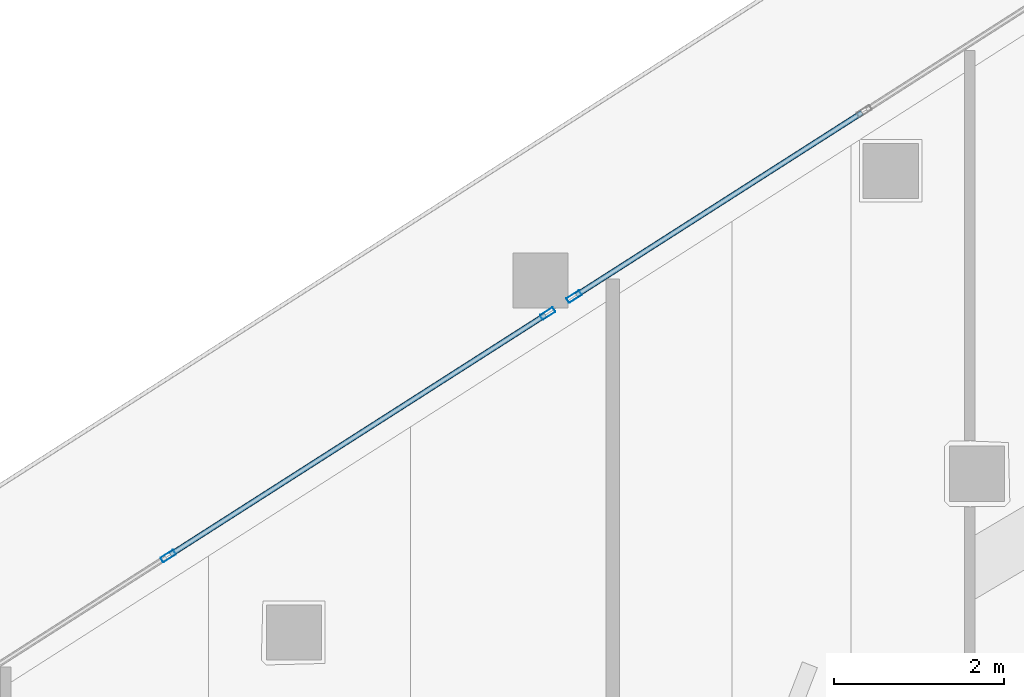
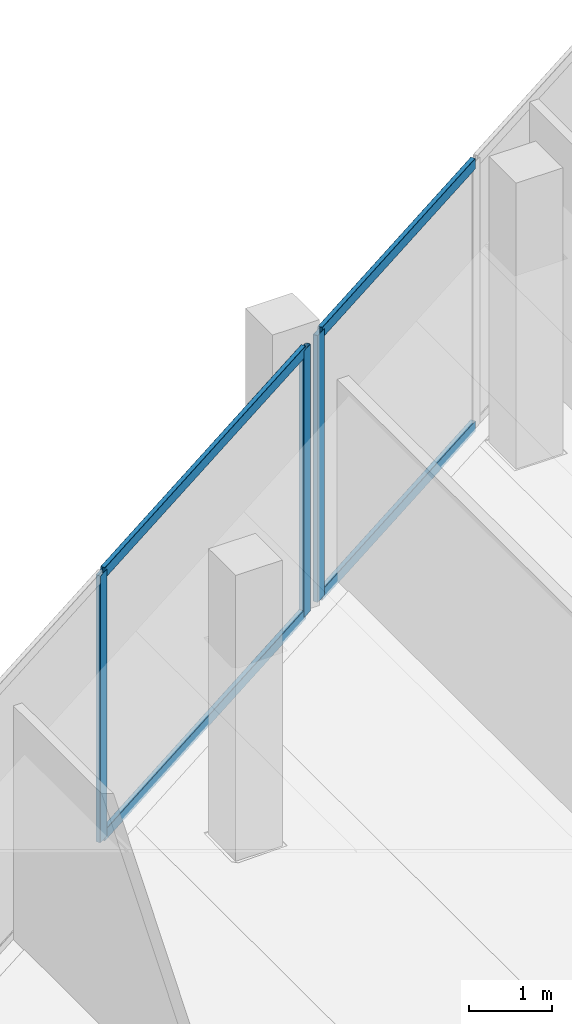
# One storey, part 19 of 44: 7 members, 2 elements without a shape of their own.
"""IFC4 building model written with IfcOpenShell, lengths in metres."""

from ifc_helpers import new_model, si_unit, direction, frame, origin, origin_2d, place, context, subcontext, project, spatial, hollow_rectangle, extrude, material, layer, layer_set, material_profile, profile_set, type_object, element, aggregate, save


model = new_model("IFC4")

# Units and contexts
model_context = context("Model", 3, precision=1e-05, world=origin(), true_north=direction((0.0, 1.0)))
body_context = subcontext(model_context, "Body", "Model", "MODEL_VIEW")
ifc_project = project(units=[si_unit("LENGTHUNIT", "METRE"), si_unit("AREAUNIT", "SQUARE_METRE"), si_unit("VOLUMEUNIT", "CUBIC_METRE"), si_unit("PLANEANGLEUNIT", "RADIAN"), si_unit("MASSUNIT", "GRAM", prefix="KILO")], contexts=[model_context])

# Site, building, storey
site_placement = place(None, origin())
site = spatial("IfcSite", under=ifc_project, at=site_placement, CompositionType="ELEMENT")
building_placement = place(site_placement, origin())
building = spatial("IfcBuilding", under=site, at=building_placement, Name="Qorvath Tower", CompositionType="ELEMENT")
storey_placement = place(building_placement, frame((0.0, 0.0, 53.39990234375)))
storey = spatial("IfcBuildingStorey", under=building, at=storey_placement, Name="L11", CompositionType="ELEMENT", Elevation=53.39990234375)

# Curtain wall, member
ifc_material_1 = material(Name="Anodised aluminium and triple low-E glass", Category="aluminium")
ifc_layer = layer(ifc_material_1, 0.179931640625)
ifc_layer_set = layer_set([ifc_layer], Name="CW-SYS-2")
curtain_wall_type = type_object("IfcCurtainWallType", Name="CW-SYS-2", PredefinedType="NOTDEFINED", material=ifc_layer_set)
curtain_wall_1_placement = place(storey_placement, origin())
curtain_wall_1 = element("IfcCurtainWall", 1, at=curtain_wall_1_placement, inside=storey, type_object=curtain_wall_type, Name="Curtain Wall CW-2 CW-T-L11-16.1", PredefinedType="NOTDEFINED")
ifc_material_2 = material(Name="Anodised aluminium 6063-T6", Category="aluminium")
ifc_material_profile_1 = material_profile(ifc_material_2, hollow_rectangle(XDim=0.06494140625, YDim=0.179931640625, WallThickness=0.00341796875, InnerFilletRadius=0.00341796875, OuterFilletRadius=0.007080078125, at=origin_2d()), Name="CWM 180x65")
ifc_profile_set_1 = profile_set([ifc_material_profile_1], Name="Anodised aluminium 6063-T6")
member_type_1 = type_object("IfcMemberType", Name="CWM-180", PredefinedType="MULLION", material=ifc_profile_set_1)
member_1_placement = place(storey_placement, frame((-21.73388671875, 29.017333984375, 0.0), z_axis=(0.0, 0.0, 1.0), x_axis=(0.538532896531, -0.842604485719, 0.0)))
member_1 = element("IfcMember", 2, at=member_1_placement, type_object=member_type_1, Name="CW-2 mullion 3", PredefinedType="MULLION", context=body_context, shape_type="SweptSolid", body=[
    extrude(hollow_rectangle(XDim=0.06494140625, YDim=0.179931640625, WallThickness=0.00341796875, InnerFilletRadius=0.00341796875, OuterFilletRadius=0.007080078125, at=origin_2d()), origin(), (0.0, 0.0, 1.0), 3.920166015625),
])

# Curtain wall, members
curtain_wall_2_placement = place(storey_placement, origin())
curtain_wall_2 = element("IfcCurtainWall", 3, at=curtain_wall_2_placement, inside=storey, type_object=curtain_wall_type, Name="Curtain Wall CW-2 CW-T-L11-16.2", PredefinedType="NOTDEFINED")
member_2_placement = place(storey_placement, frame((-22.04541015625, 28.818115234375, 0.0), z_axis=(0.0, 0.0, 1.0), x_axis=(0.538541095387, -0.842599245537, 0.0)))
member_2 = element("IfcMember", 4, at=member_2_placement, type_object=member_type_1, Name="CW-2 mullion 1", PredefinedType="MULLION", context=body_context, shape_type="SweptSolid", body=[
    extrude(hollow_rectangle(XDim=0.06494140625, YDim=0.179931640625, WallThickness=0.00341796875, InnerFilletRadius=0.00341796875, OuterFilletRadius=0.007080078125, at=origin_2d()), origin(), (0.0, 0.0, 1.0), 3.920166015625),
])
member_3_placement = place(storey_placement, frame((-26.520263671875, 25.958251953125, 0.0), z_axis=(0.0, 0.0, 1.0), x_axis=(0.538541095387, -0.842599245537, 0.0)))
member_3 = element("IfcMember", 5, at=member_3_placement, type_object=member_type_1, Name="CW-2 mullion 2", PredefinedType="MULLION", context=body_context, shape_type="SweptSolid", body=[
    extrude(hollow_rectangle(XDim=0.06494140625, YDim=0.179931640625, WallThickness=0.00341796875, InnerFilletRadius=0.00341796875, OuterFilletRadius=0.007080078125, at=origin_2d()), origin(), (0.0, 0.0, 1.0), 3.920166015625),
])

# Member
ifc_material_3 = material(Name="Anodised aluminium 6063-T6", Category="aluminium")
ifc_material_profile_2 = material_profile(ifc_material_3, hollow_rectangle(XDim=0.06494140625, YDim=0.159912109375, WallThickness=0.00341796875, InnerFilletRadius=0.00341796875, OuterFilletRadius=0.007080078125, at=origin_2d()), Name="CWT 160x65")
ifc_profile_set_2 = profile_set([ifc_material_profile_2], Name="Anodised aluminium 6063-T6")
member_type_2 = type_object("IfcMemberType", Name="CWT-160", PredefinedType="USERDEFINED", material=ifc_profile_set_2)
member_4_placement = place(storey_placement, frame((-18.340087890625, 31.186279296875, 0.032470703125), z_axis=(-0.842630791707, -0.538491735189, 0.0), x_axis=(0.538491735189, -0.842630791707, 0.0)))
member_4 = element("IfcMember", 6, at=member_4_placement, type_object=member_type_2, Name="CW-2 transom 2.1", ObjectType="TRANSOM", PredefinedType="USERDEFINED", context=body_context, shape_type="SweptSolid", body=[
    extrude(hollow_rectangle(XDim=0.06494140625, YDim=0.159912109375, WallThickness=0.00341796875, InnerFilletRadius=0.00341796875, OuterFilletRadius=0.007080078125, at=origin_2d()), origin(), (0.0, 0.0, 1.0), 3.9951171875),
])

member_5_placement = place(storey_placement, frame((-18.340087890625, 31.186279296875, 3.8876953125), z_axis=(-0.842630791707, -0.538491735189, 0.0), x_axis=(0.538491735189, -0.842630791707, 0.0)))
member_5 = element("IfcMember", 7, at=member_5_placement, type_object=member_type_2, Name="CW-2 transom 2.2", ObjectType="TRANSOM", PredefinedType="USERDEFINED", context=body_context, shape_type="SweptSolid", body=[
    extrude(hollow_rectangle(XDim=0.06494140625, YDim=0.159912109375, WallThickness=0.00341796875, InnerFilletRadius=0.00341796875, OuterFilletRadius=0.007080078125, at=origin_2d()), origin(), (0.0, 0.0, 1.0), 3.9951171875),
])

aggregate(curtain_wall_1, [member_1, member_4, member_5])

member_6_placement = place(storey_placement, frame((-22.07275390625, 28.80078125, 0.032470703125), z_axis=(-0.842592429827, -0.53855175907, 0.0), x_axis=(0.53855175907, -0.842592429827, 0.0)))
member_6 = element("IfcMember", 8, at=member_6_placement, type_object=member_type_2, Name="CW-2 transom 1.1", ObjectType="TRANSOM", PredefinedType="USERDEFINED", context=body_context, shape_type="SweptSolid", body=[
    extrude(hollow_rectangle(XDim=0.06494140625, YDim=0.159912109375, WallThickness=0.00341796875, InnerFilletRadius=0.00341796875, OuterFilletRadius=0.007080078125, at=origin_2d()), origin(), (0.0, 0.0, 1.0), 5.245849609375),
])

member_7_placement = place(storey_placement, frame((-22.07275390625, 28.80078125, 3.8876953125), z_axis=(-0.842592429827, -0.53855175907, 0.0), x_axis=(0.53855175907, -0.842592429827, 0.0)))
member_7 = element("IfcMember", 9, at=member_7_placement, type_object=member_type_2, Name="CW-2 transom 1.2", ObjectType="TRANSOM", PredefinedType="USERDEFINED", context=body_context, shape_type="SweptSolid", body=[
    extrude(hollow_rectangle(XDim=0.06494140625, YDim=0.159912109375, WallThickness=0.00341796875, InnerFilletRadius=0.00341796875, OuterFilletRadius=0.007080078125, at=origin_2d()), origin(), (0.0, 0.0, 1.0), 5.245849609375),
])

aggregate(curtain_wall_2, [member_2, member_3, member_6, member_7])

save(model, "model.ifc")
